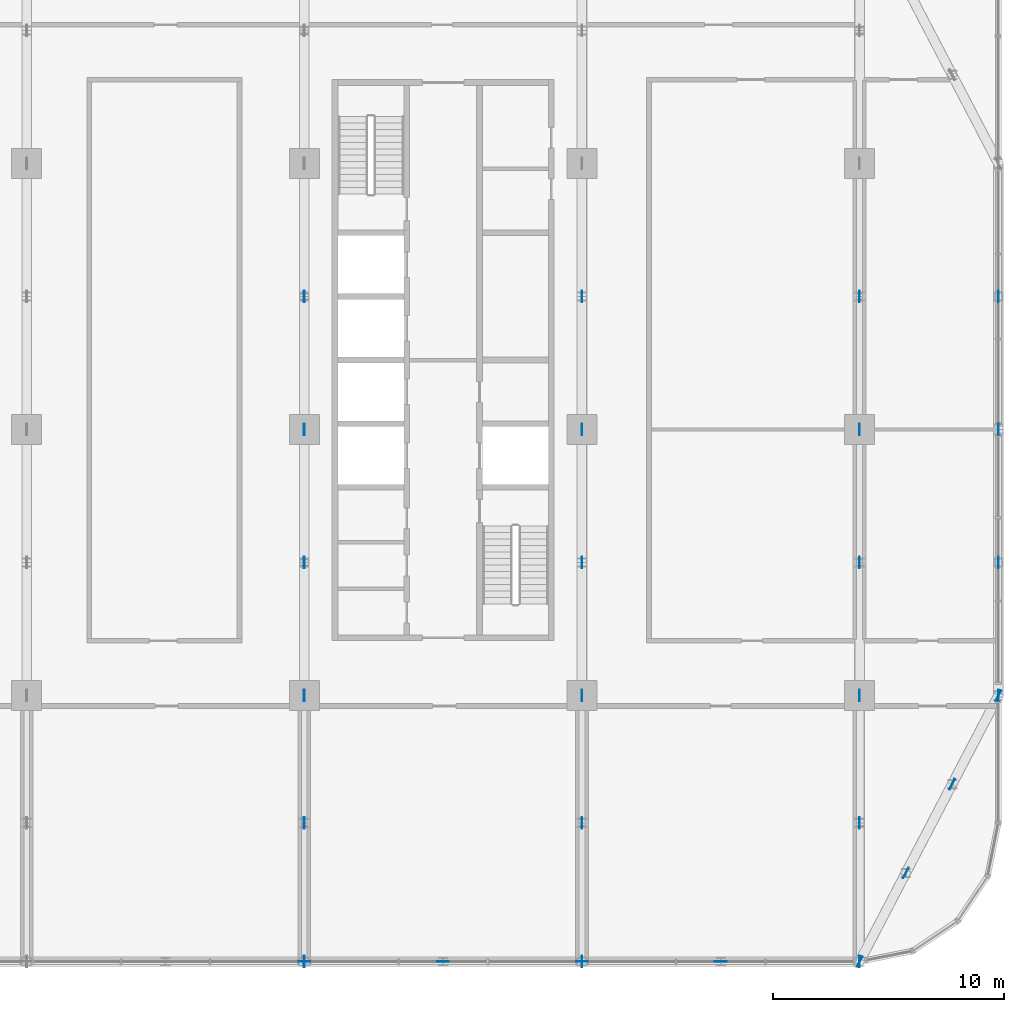
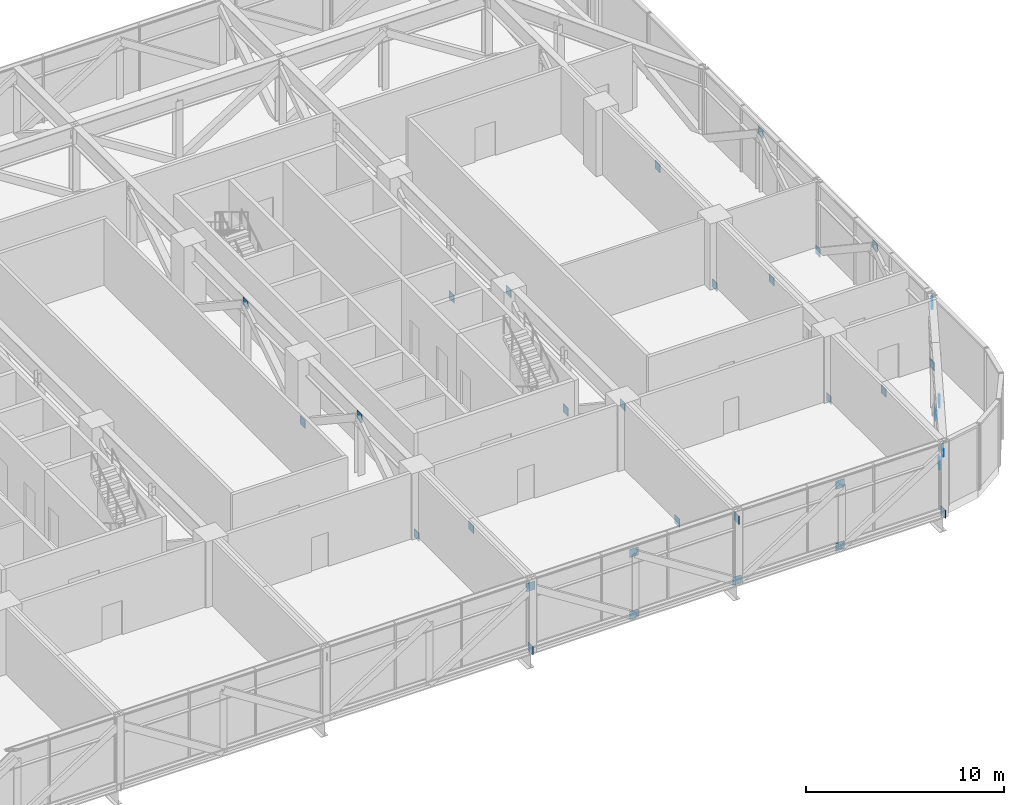
# One storey, part 26 of 30: 33 discrete accessories.
"""IFC4 building model written with IfcOpenShell, lengths in metres."""

from ifc_helpers import new_model, si_unit, direction, frame, origin, origin_2d, place, context, subcontext, project, spatial, rectangle, extrude, material, layer, layer_set, type_object, element, save


model = new_model("IFC4")

# Units and contexts
model_context = context("Model", 3, precision=1e-05, world=origin(), true_north=direction((0.0, 1.0)))
body_context = subcontext(model_context, "Body", "Model", "MODEL_VIEW")
ifc_project = project(units=[si_unit("LENGTHUNIT", "METRE"), si_unit("AREAUNIT", "SQUARE_METRE"), si_unit("VOLUMEUNIT", "CUBIC_METRE"), si_unit("PLANEANGLEUNIT", "RADIAN"), si_unit("MASSUNIT", "GRAM", prefix="KILO")], contexts=[model_context])

# Site, building, storey
site_placement = place(None, origin())
site = spatial("IfcSite", under=ifc_project, at=site_placement, CompositionType="ELEMENT")
building_placement = place(site_placement, origin())
building = spatial("IfcBuilding", under=site, at=building_placement, Name="Mahtab Terrace Research Tower", CompositionType="ELEMENT")
storey_placement = place(building_placement, frame((0.0, 0.0, 154.800048828125)))
storey = spatial("IfcBuildingStorey", under=building, at=storey_placement, Name="L36", CompositionType="ELEMENT", Elevation=154.800048828125)

# Discrete accessories
ifc_material = material(Name="Steel ASTM A992 Gr 50", Category="steel")
ifc_layer = layer(ifc_material, 0.030029296875)
ifc_layer_set = layer_set([ifc_layer], Name="Gusset plate 500x500x30")
discrete_accessory_type = type_object("IfcDiscreteAccessoryType", Name="Gusset plate 500x500x30", PredefinedType="USERDEFINED", material=ifc_layer_set)
for number, where, z_axis, x_axis, name in (
    (1, (18.0, -23.0, 3.251220703125), (0.0, 0.0, 1.0), (1.0, 0.0, 0.0), "Gusset plate"),
    (2, (24.0, -23.0, -0.567626953125), (0.0, 0.0, 1.0), (1.0, 0.0, 0.0), "Gusset plate"),
    (3, (24.0, -23.0, 3.251220703125), (0.0, 0.0, 1.0), (1.0, 0.0, 0.0), "Gusset plate"),
    (4, (30.0, -23.0, -0.567626953125), (0.0, 0.0, 1.0), (1.0, 0.0, 0.0), "Gusset plate"),
    (5, (36.0, -23.0, -0.567626953125), (0.0, 0.0, 1.0), (1.0, 0.0, 0.0), "Gusset plate"),
    (6, (36.0, -23.0, 3.251220703125), (0.0, 0.0, 1.0), (1.0, 0.0, 0.0), "Gusset plate"),
    (7, (42.0, -23.0, 3.251220703125), (0.0, 0.0, 1.0), (0.462599869636, 0.886567177721, 0.0), "Gusset plate"),
    (8, (44.0, -19.1669921875, -0.567626953125), (0.0, 0.0, 1.0), (0.462599869636, 0.886567177721, 0.0), "Gusset plate"),
    (9, (44.0, -19.1669921875, 3.251220703125), (0.0, 0.0, 1.0), (0.462507026002, 0.886615616205, 0.0), "Gusset plate"),
    (10, (46.0, -15.3330078125, -0.567626953125), (0.0, 0.0, 1.0), (0.462507026002, 0.886615616205, 0.0), "Gusset plate"),
    (11, (48.0, -11.5, 3.251220703125), (0.0, 0.0, 1.0), (0.462599869636, 0.886567177721, 0.0), "Gusset plate"),
    (12, (18.0, -23.0, -0.567626953125), (0.0, 0.0, 1.0), (0.0, 1.0, 0.0), "Gusset plate"),
    (13, (18.0, -17.0, 3.251220703125), (0.0, 0.0, 1.0), (0.0, 1.0, 0.0), "Gusset plate"),
    (14, (18.0, -11.5, -0.567626953125), (0.0, 0.0, 1.0), (0.0, 1.0, 0.0), "Gusset plate"),
    (15, (18.0, -5.75, 3.251220703125), (0.0, 0.0, 1.0), (0.0, 1.0, 0.0), "Gusset plate"),
    (16, (18.0, 0.0, -0.567626953125), (0.0, 0.0, 1.0), (0.0, 1.0, 0.0), "Gusset plate"),
    (17, (18.0, 5.75, 3.251220703125), (0.0, 0.0, 1.0), (0.0, 1.0, 0.0), "Gusset plate"),
    (18, (30.0, -23.0, 3.251220703125), (0.0, 0.0, 1.0), (0.0, 1.0, 0.0), "Gusset plate"),
    (19, (30.0, -17.0, -0.567626953125), (0.0, 0.0, 1.0), (0.0, 1.0, 0.0), "Gusset plate"),
    (20, (30.0, -11.5, 3.251220703125), (0.0, 0.0, 1.0), (0.0, 1.0, 0.0), "Gusset plate"),
    (21, (30.0, -5.75, -0.567626953125), (0.0, 0.0, 1.0), (0.0, 1.0, 0.0), "Gusset plate"),
    (22, (30.0, 0.0, 3.251220703125), (0.0, 0.0, 1.0), (0.0, 1.0, 0.0), "Gusset plate"),
    (23, (30.0, 5.75, -0.567626953125), (0.0, 0.0, 1.0), (0.0, 1.0, 0.0), "Gusset plate"),
    (24, (42.0, -23.0, -0.567626953125), (0.0, 0.0, 1.0), (0.0, 1.0, 0.0), "Gusset plate"),
    (25, (42.0, -17.0, 3.251220703125), (0.0, 0.0, 1.0), (0.0, 1.0, 0.0), "Gusset plate"),
    (26, (42.0, -11.5, -0.567626953125), (0.0, 0.0, 1.0), (0.0, 1.0, 0.0), "Gusset plate"),
    (27, (42.0, -5.75, 3.251220703125), (0.0, 0.0, 1.0), (0.0, 1.0, 0.0), "Gusset plate"),
    (28, (42.0, 0.0, -0.567626953125), (0.0, 0.0, 1.0), (0.0, 1.0, 0.0), "Gusset plate"),
    (29, (42.0, 5.75, 3.251220703125), (0.0, 0.0, 1.0), (0.0, 1.0, 0.0), "Gusset plate"),
    (30, (48.0, -11.5, -0.567626953125), (0.0, 0.0, 1.0), (0.0, 1.0, 0.0), "Gusset plate"),
    (31, (48.0, -5.75, 3.251220703125), (0.0, 0.0, 1.0), (0.0, 1.0, 0.0), "Gusset plate"),
    (32, (48.0, 0.0, -0.567626953125), (0.0, 0.0, 1.0), (0.0, 1.0, 0.0), "Gusset plate"),
    (33, (48.0, 5.75, 3.251220703125), (0.0, 0.0, 1.0), (0.0, 1.0, 0.0), "Gusset plate"),
):
    element("IfcDiscreteAccessory", number, at=place(storey_placement, frame(where, z_axis=z_axis, x_axis=x_axis)), inside=storey, type_object=discrete_accessory_type, Name=name, ObjectType="GUSSET PLATE", PredefinedType="USERDEFINED", context=body_context, shape_type="SweptSolid", body=[
        extrude(rectangle(XDim=0.5, YDim=0.030029296875, at=origin_2d()), origin(), (0.0, 0.0, 1.0), 0.5),
    ])

save(model, "model.ifc")
